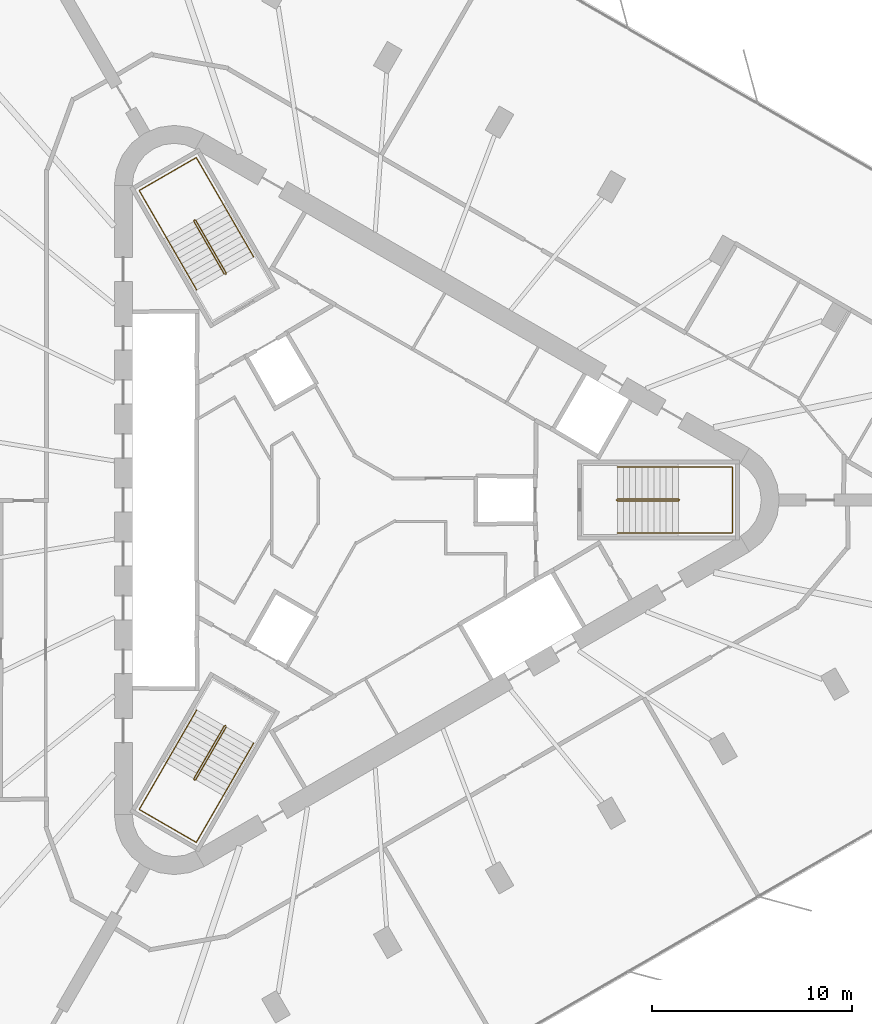
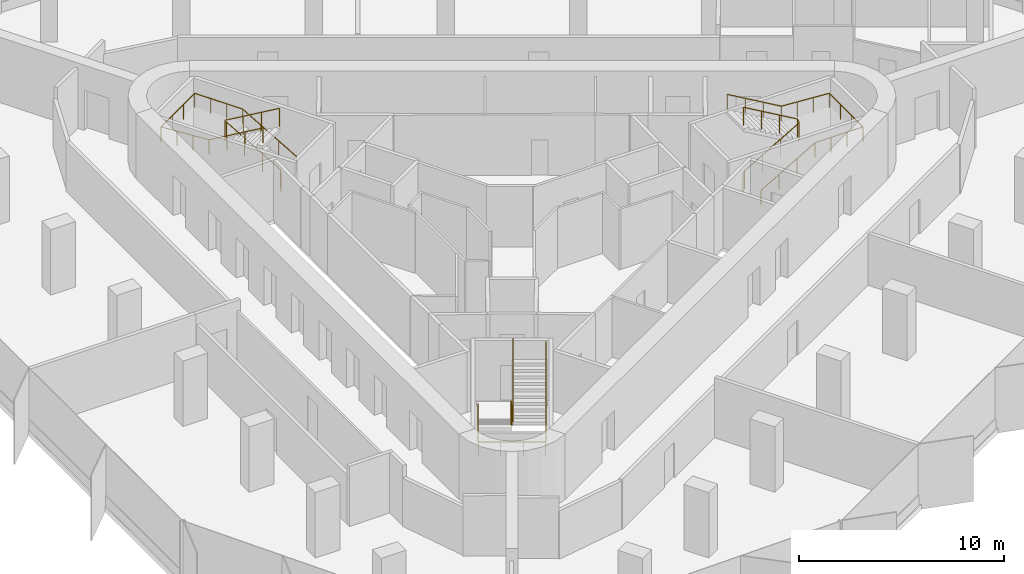
# One storey, part 12 of 12: 6 railings.
"""IFC4 building model written with IfcOpenShell, lengths in metres."""

from ifc_helpers import new_model, si_unit, direction, frame, origin, origin_2d, place, context, subcontext, project, spatial, circle, extrude, material, type_object, element, save


model = new_model("IFC4")

# Units and contexts
model_context = context("Model", 3, precision=1e-05, world=origin(), true_north=direction((0.0, 1.0)))
body_context = subcontext(model_context, "Body", "Model", "MODEL_VIEW")
ifc_project = project(units=[si_unit("LENGTHUNIT", "METRE"), si_unit("AREAUNIT", "SQUARE_METRE"), si_unit("VOLUMEUNIT", "CUBIC_METRE"), si_unit("PLANEANGLEUNIT", "RADIAN"), si_unit("MASSUNIT", "GRAM", prefix="KILO")], contexts=[model_context])

# Site, building, storey
site_placement = place(None, origin())
site = spatial("IfcSite", under=ifc_project, at=site_placement, CompositionType="ELEMENT")
building_placement = place(site_placement, origin())
building = spatial("IfcBuilding", under=site, at=building_placement, Name="Tanit Gate Tower", CompositionType="ELEMENT")
storey_placement = place(building_placement, frame((0.0, 0.0, 341.60009765625)))
storey = spatial("IfcBuildingStorey", under=building, at=storey_placement, Name="L77", CompositionType="ELEMENT", Elevation=341.60009765625)

# Railings
ifc_material_1 = material(Name="Stainless steel balustrade", Category="steel")
railing_type_1 = type_object("IfcRailingType", Name="INT-STAIR-GUARD", PredefinedType="GUARDRAIL", material=ifc_material_1)
railing_1_placement = place(storey_placement, frame((13.044921875, 0.0048828125, 0.0)))
element("IfcRailing", 1, at=railing_1_placement, inside=storey, type_object=railing_type_1, Name="L77 S1 stair guard 1", PredefinedType="GUARDRAIL", context=body_context, shape_type="SweptSolid", body=[
    extrude(circle(Radius=0.02392578125, at=origin_2d()), frame((0.0, 0.0, 1.076171875), z_axis=(0.0, -1.0, 0.0), x_axis=(1.0, 0.0, 0.0)), (0.0, 0.0, 1.0), 0.009765625),
    extrude(circle(Radius=0.02392578125, at=origin_2d()), frame((0.0, -0.009765625, 1.076171875), z_axis=(0.262233686654, -0.262233686654, 0.928691007369), x_axis=(0.707106781187, 0.707106781187, 0.0)), (0.0, 0.0, 1.0), 0.19091796875),
    extrude(circle(Radius=0.02392578125, at=origin_2d()), frame((0.050048828125, -0.059814453125, 1.25341796875), z_axis=(0.864648382064, 0.0, 0.502377522779), x_axis=(0.0, 1.0, 0.0)), (0.0, 0.0, 1.0), 3.528564453125),
    extrude(circle(Radius=0.02392578125, at=origin_2d()), frame((3.10107421875, -0.059814453125, 3.02587890625), z_axis=(0.707106781187, 0.707106781187, 0.0), x_axis=(-0.707106781187, 0.707106781187, 0.0)), (0.0, 0.0, 1.0), 0.07080078125),
    extrude(circle(Radius=0.02392578125, at=origin_2d()), frame((3.151123046875, -0.009765625, 3.02587890625), z_axis=(0.0, 1.0, 0.0), x_axis=(-1.0, 0.0, 0.0)), (0.0, 0.0, 1.0), 0.009765625),
    extrude(circle(Radius=0.02392578125, at=origin_2d()), frame((3.151123046875, 0.0, 3.02587890625), z_axis=(-0.262233686654, 0.262233686654, 0.928691007369), x_axis=(-0.707106781187, -0.707106781187, 0.0)), (0.0, 0.0, 1.0), 0.19091796875),
    extrude(circle(Radius=0.02392578125, at=origin_2d()), frame((3.10107421875, 0.050048828125, 3.203125), z_axis=(-0.864648382064, 0.0, 0.502377522779), x_axis=(0.0, -1.0, 0.0)), (0.0, 0.0, 1.0), 3.528564453125),
    extrude(circle(Radius=0.02099609375, at=origin_2d()), origin(), (0.0, 0.0, 1.0), 1.052001953125),
    extrude(circle(Radius=0.02099609375, at=origin_2d()), frame((0.0, -0.009765625, 0.0)), (0.0, 0.0, 1.0), 1.052001953125),
    extrude(circle(Radius=0.02099609375, at=origin_2d()), frame((0.050048828125, -0.059814453125, 0.17724609375)), (0.0, 0.0, 1.0), 1.052001953125),
    extrude(circle(Radius=0.02099609375, at=origin_2d()), frame((1.067138671875, -0.059814453125, 0.76806640625)), (0.0, 0.0, 1.0), 1.052001953125),
    extrude(circle(Radius=0.02099609375, at=origin_2d()), frame((2.083984375, -0.059814453125, 1.359130859375)), (0.0, 0.0, 1.0), 1.052001953125),
    extrude(circle(Radius=0.02099609375, at=origin_2d()), frame((3.10107421875, -0.059814453125, 1.949951171875)), (0.0, 0.0, 1.0), 1.052001953125),
    extrude(circle(Radius=0.02099609375, at=origin_2d()), frame((3.151123046875, -0.009765625, 1.949951171875)), (0.0, 0.0, 1.0), 1.052001953125),
    extrude(circle(Radius=0.02099609375, at=origin_2d()), frame((3.151123046875, 0.0, 1.949951171875)), (0.0, 0.0, 1.0), 1.052001953125),
    extrude(circle(Radius=0.02099609375, at=origin_2d()), frame((3.10107421875, 0.050048828125, 2.127197265625)), (0.0, 0.0, 1.0), 1.052001953125),
    extrude(circle(Radius=0.02099609375, at=origin_2d()), frame((2.083984375, 0.050048828125, 2.718017578125)), (0.0, 0.0, 1.0), 1.052001953125),
    extrude(circle(Radius=0.02099609375, at=origin_2d()), frame((1.067138671875, 0.050048828125, 3.30908203125)), (0.0, 0.0, 1.0), 1.052001953125),
    extrude(circle(Radius=0.02099609375, at=origin_2d()), frame((0.050048828125, 0.050048828125, 3.89990234375)), (0.0, 0.0, 1.0), 1.052001953125),
])
railing_2_placement = place(storey_placement, frame((-6.527099609375, 11.29345703125, 0.0)))
element("IfcRailing", 2, at=railing_2_placement, inside=storey, type_object=railing_type_1, Name="L77 S2 stair guard 1", PredefinedType="GUARDRAIL", context=body_context, shape_type="SweptSolid", body=[
    extrude(circle(Radius=0.02392578125, at=origin_2d()), frame((0.0, 0.0, 1.076171875), z_axis=(0.868243142124, 0.496138938357, 0.0), x_axis=(-0.496138938357, 0.868243142124, 0.0)), (0.0, 0.0, 1.0), 0.01171875),
    extrude(circle(Radius=0.02392578125, at=origin_2d()), frame((0.01025390625, 0.005859375, 1.076171875), z_axis=(0.095941116058, 0.358180166617, 0.928710003441), x_axis=(-0.965948051503, 0.258736085224, 0.0)), (0.0, 0.0, 1.0), 0.19091796875),
    extrude(circle(Radius=0.02392578125, at=origin_2d()), frame((0.028564453125, 0.07421875, 1.25341796875), z_axis=(-0.4322777601, 0.748681545756, 0.50260509465), x_axis=(-0.866012246495, -0.500022788402, 0.0)), (0.0, 0.0, 1.0), 3.527099609375),
    extrude(circle(Radius=0.02392578125, at=origin_2d()), frame((-1.49609375, 2.71484375, 3.02587890625), z_axis=(-0.965715946433, 0.259601060869, 0.0), x_axis=(-0.259601060869, -0.965715946433, 0.0)), (0.0, 0.0, 1.0), 0.070556640625),
    extrude(circle(Radius=0.02392578125, at=origin_2d()), frame((-1.564208984375, 2.733154296875, 3.02587890625), z_axis=(-0.873197702015, -0.487366159264, 0.0), x_axis=(0.487366159264, -0.873197702015, 0.0)), (0.0, 0.0, 1.0), 0.011962890625),
    extrude(circle(Radius=0.02392578125, at=origin_2d()), frame((-1.57470703125, 2.727294921875, 3.02587890625), z_axis=(-0.095941116058, -0.358180166617, 0.928710003441), x_axis=(0.965948051503, -0.258736085224, 0.0)), (0.0, 0.0, 1.0), 0.19091796875),
    extrude(circle(Radius=0.02392578125, at=origin_2d()), frame((-1.593017578125, 2.658935546875, 3.203125), z_axis=(0.4322777601, -0.748681545756, 0.50260509465), x_axis=(0.866012246495, 0.500022788402, 0.0)), (0.0, 0.0, 1.0), 3.527099609375),
    extrude(circle(Radius=0.02099609375, at=origin_2d()), origin(), (0.0, 0.0, 1.0), 1.052001953125),
    extrude(circle(Radius=0.02099609375, at=origin_2d()), frame((0.01025390625, 0.005859375, 0.0)), (0.0, 0.0, 1.0), 1.052001953125),
    extrude(circle(Radius=0.02099609375, at=origin_2d()), frame((0.028564453125, 0.07421875, 0.17724609375)), (0.0, 0.0, 1.0), 1.052001953125),
    extrude(circle(Radius=0.02099609375, at=origin_2d()), frame((-0.479736328125, 0.954345703125, 0.76806640625)), (0.0, 0.0, 1.0), 1.052001953125),
    extrude(circle(Radius=0.02099609375, at=origin_2d()), frame((-0.98779296875, 1.834716796875, 1.359130859375)), (0.0, 0.0, 1.0), 1.052001953125),
    extrude(circle(Radius=0.02099609375, at=origin_2d()), frame((-1.49609375, 2.71484375, 1.949951171875)), (0.0, 0.0, 1.0), 1.052001953125),
    extrude(circle(Radius=0.02099609375, at=origin_2d()), frame((-1.564208984375, 2.733154296875, 1.949951171875)), (0.0, 0.0, 1.0), 1.052001953125),
    extrude(circle(Radius=0.02099609375, at=origin_2d()), frame((-1.57470703125, 2.727294921875, 1.949951171875)), (0.0, 0.0, 1.0), 1.052001953125),
    extrude(circle(Radius=0.02099609375, at=origin_2d()), frame((-1.593017578125, 2.658935546875, 2.127197265625)), (0.0, 0.0, 1.0), 1.052001953125),
    extrude(circle(Radius=0.02099609375, at=origin_2d()), frame((-1.084716796875, 1.77880859375, 2.718017578125)), (0.0, 0.0, 1.0), 1.052001953125),
    extrude(circle(Radius=0.02099609375, at=origin_2d()), frame((-0.57666015625, 0.8984375, 3.30908203125)), (0.0, 0.0, 1.0), 1.052001953125),
    extrude(circle(Radius=0.02099609375, at=origin_2d()), frame((-0.068359375, 0.018310546875, 3.89990234375)), (0.0, 0.0, 1.0), 1.052001953125),
])
railing_3_placement = place(storey_placement, frame((-6.51806640625, -11.2998046875, 0.0)))
element("IfcRailing", 3, at=railing_3_placement, inside=storey, type_object=railing_type_1, Name="L77 S3 stair guard 1", PredefinedType="GUARDRAIL", context=body_context, shape_type="SweptSolid", body=[
    extrude(circle(Radius=0.02392578125, at=origin_2d()), frame((0.0, 0.0, 1.076171875), z_axis=(-0.874157276122, 0.485642931179, 0.0), x_axis=(-0.485642931179, -0.874157276122, 0.0)), (0.0, 0.0, 1.0), 0.010009765625),
    extrude(circle(Radius=0.02392578125, at=origin_2d()), frame((-0.0087890625, 0.0048828125, 1.076171875), z_axis=(-0.358223840744, -0.094673443625, 0.928823244215), x_axis=(0.255512919477, -0.966805641264, 0.0)), (0.0, 0.0, 1.0), 0.19091796875),
    extrude(circle(Radius=0.02392578125, at=origin_2d()), frame((-0.0771484375, -0.01318359375, 1.25341796875), z_axis=(-0.432289778901, -0.748827189027, 0.502377734411), x_axis=(0.866048339477, -0.499960272111, 0.0)), (0.0, 0.0, 1.0), 3.528564453125),
    extrude(circle(Radius=0.02392578125, at=origin_2d()), frame((-1.6025390625, -2.655517578125, 3.02587890625), z_axis=(0.258736085224, -0.965948051503, 0.0), x_axis=(0.965948051503, 0.258736085224, 0.0)), (0.0, 0.0, 1.0), 0.07080078125),
    extrude(circle(Radius=0.02392578125, at=origin_2d()), frame((-1.584228515625, -2.723876953125, 3.02587890625), z_axis=(0.868243142124, -0.496138938357, 0.0), x_axis=(0.496138938357, 0.868243142124, 0.0)), (0.0, 0.0, 1.0), 0.009765625),
    extrude(circle(Radius=0.02392578125, at=origin_2d()), frame((-1.57568359375, -2.728759765625, 3.02587890625), z_axis=(0.358180166617, 0.095941116058, 0.928710003441), x_axis=(-0.258736085224, 0.965948051503, 0.0)), (0.0, 0.0, 1.0), 0.19091796875),
    extrude(circle(Radius=0.02392578125, at=origin_2d()), frame((-1.50732421875, -2.71044921875, 3.203125), z_axis=(0.432368434633, 0.748774395838, 0.502388734816), x_axis=(-0.865993683553, 0.500054937028, 0.0)), (0.0, 0.0, 1.0), 3.528564453125),
    extrude(circle(Radius=0.02099609375, at=origin_2d()), origin(), (0.0, 0.0, 1.0), 1.052001953125),
    extrude(circle(Radius=0.02099609375, at=origin_2d()), frame((-0.0087890625, 0.0048828125, 0.0)), (0.0, 0.0, 1.0), 1.052001953125),
    extrude(circle(Radius=0.02099609375, at=origin_2d()), frame((-0.0771484375, -0.01318359375, 0.17724609375)), (0.0, 0.0, 1.0), 1.052001953125),
    extrude(circle(Radius=0.02099609375, at=origin_2d()), frame((-0.585693359375, -0.89404296875, 0.76806640625)), (0.0, 0.0, 1.0), 1.052001953125),
    extrude(circle(Radius=0.02099609375, at=origin_2d()), frame((-1.093994140625, -1.774658203125, 1.359130859375)), (0.0, 0.0, 1.0), 1.052001953125),
    extrude(circle(Radius=0.02099609375, at=origin_2d()), frame((-1.6025390625, -2.655517578125, 1.949951171875)), (0.0, 0.0, 1.0), 1.052001953125),
    extrude(circle(Radius=0.02099609375, at=origin_2d()), frame((-1.584228515625, -2.723876953125, 1.949951171875)), (0.0, 0.0, 1.0), 1.052001953125),
    extrude(circle(Radius=0.02099609375, at=origin_2d()), frame((-1.57568359375, -2.728759765625, 1.949951171875)), (0.0, 0.0, 1.0), 1.052001953125),
    extrude(circle(Radius=0.02099609375, at=origin_2d()), frame((-1.50732421875, -2.71044921875, 2.127197265625)), (0.0, 0.0, 1.0), 1.052001953125),
    extrude(circle(Radius=0.02099609375, at=origin_2d()), frame((-0.998779296875, -1.829833984375, 2.718017578125)), (0.0, 0.0, 1.0), 1.052001953125),
    extrude(circle(Radius=0.02099609375, at=origin_2d()), frame((-0.490234375, -0.948974609375, 3.30908203125)), (0.0, 0.0, 1.0), 1.052001953125),
    extrude(circle(Radius=0.02099609375, at=origin_2d()), frame((0.018310546875, -0.068359375, 3.89990234375)), (0.0, 0.0, 1.0), 1.052001953125),
])
ifc_material_2 = material(Name="Stainless steel handrail", Category="steel")
railing_type_2 = type_object("IfcRailingType", Name="INT-STAIR-HANDRAIL", PredefinedType="HANDRAIL", material=ifc_material_2)
railing_4_placement = place(storey_placement, frame((13.094970703125, -1.64990234375, 0.17724609375)))
element("IfcRailing", 4, at=railing_4_placement, inside=storey, type_object=railing_type_2, Name="L77 S1 stair handrail 1", PredefinedType="HANDRAIL", context=body_context, shape_type="SweptSolid", body=[
    extrude(circle(Radius=0.02392578125, at=origin_2d()), frame((0.0, 0.0, 0.8759765625), z_axis=(0.864648382064, 0.0, 0.502377522779), x_axis=(0.0, 1.0, 0.0)), (0.0, 0.0, 1.0), 3.528564453125),
    extrude(circle(Radius=0.02392578125, at=origin_2d()), frame((3.051025390625, 0.0, 2.6484375), z_axis=(1.0, 0.0, 0.0), x_axis=(0.0, 1.0, 0.0)), (0.0, 0.0, 1.0), 2.7041015625),
    extrude(circle(Radius=0.02392578125, at=origin_2d()), frame((5.755126953125, 0.0, 2.6484375), z_axis=(0.0, 1.0, 0.0), x_axis=(-1.0, 0.0, 0.0)), (0.0, 0.0, 1.0), 3.2998046875),
    extrude(circle(Radius=0.02392578125, at=origin_2d()), frame((5.755126953125, 3.2998046875, 2.6484375), z_axis=(-0.997858684482, 0.0, 0.065406771843), x_axis=(0.0, -1.0, 0.0)), (0.0, 0.0, 1.0), 2.7099609375),
    extrude(circle(Radius=0.02392578125, at=origin_2d()), frame((3.051025390625, 3.2998046875, 2.82568359375), z_axis=(-0.864648382064, 0.0, 0.502377522779), x_axis=(0.0, -1.0, 0.0)), (0.0, 0.0, 1.0), 3.528564453125),
    extrude(circle(Radius=0.02099609375, at=origin_2d()), origin(), (0.0, 0.0, 1.0), 0.851806640625),
    extrude(circle(Radius=0.02099609375, at=origin_2d()), frame((1.01708984375, 0.0, 0.5908203125)), (0.0, 0.0, 1.0), 0.851806640625),
    extrude(circle(Radius=0.02099609375, at=origin_2d()), frame((2.033935546875, 0.0, 1.181884765625)), (0.0, 0.0, 1.0), 0.851806640625),
    extrude(circle(Radius=0.02099609375, at=origin_2d()), frame((3.051025390625, 0.0, 1.772705078125)), (0.0, 0.0, 1.0), 0.851806640625),
    extrude(circle(Radius=0.02099609375, at=origin_2d()), frame((3.952392578125, 0.0, 1.772705078125)), (0.0, 0.0, 1.0), 0.851806640625),
    extrude(circle(Radius=0.02099609375, at=origin_2d()), frame((4.853759765625, 0.0, 1.772705078125)), (0.0, 0.0, 1.0), 0.851806640625),
    extrude(circle(Radius=0.02099609375, at=origin_2d()), frame((5.755126953125, 0.0, 1.772705078125)), (0.0, 0.0, 1.0), 0.851806640625),
    extrude(circle(Radius=0.02099609375, at=origin_2d()), frame((5.755126953125, 1.099853515625, 1.772705078125)), (0.0, 0.0, 1.0), 0.851806640625),
    extrude(circle(Radius=0.02099609375, at=origin_2d()), frame((5.755126953125, 2.199951171875, 1.772705078125)), (0.0, 0.0, 1.0), 0.851806640625),
    extrude(circle(Radius=0.02099609375, at=origin_2d()), frame((5.755126953125, 3.2998046875, 1.772705078125)), (0.0, 0.0, 1.0), 0.851806640625),
    extrude(circle(Radius=0.02099609375, at=origin_2d()), frame((4.853759765625, 3.2998046875, 1.831787109375)), (0.0, 0.0, 1.0), 0.851806640625),
    extrude(circle(Radius=0.02099609375, at=origin_2d()), frame((3.952392578125, 3.2998046875, 1.890869140625)), (0.0, 0.0, 1.0), 0.851806640625),
    extrude(circle(Radius=0.02099609375, at=origin_2d()), frame((3.051025390625, 3.2998046875, 1.949951171875)), (0.0, 0.0, 1.0), 0.851806640625),
    extrude(circle(Radius=0.02099609375, at=origin_2d()), frame((2.033935546875, 3.2998046875, 2.540771484375)), (0.0, 0.0, 1.0), 0.851806640625),
    extrude(circle(Radius=0.02099609375, at=origin_2d()), frame((1.01708984375, 3.2998046875, 3.1318359375)), (0.0, 0.0, 1.0), 0.851806640625),
    extrude(circle(Radius=0.02099609375, at=origin_2d()), frame((0.0, 3.2998046875, 3.72265625)), (0.0, 0.0, 1.0), 0.851806640625),
])
railing_5_placement = place(storey_placement, frame((-5.1181640625, 12.164794921875, 0.17724609375)))
element("IfcRailing", 5, at=railing_5_placement, inside=storey, type_object=railing_type_2, Name="L77 S2 stair handrail 1", PredefinedType="HANDRAIL", context=body_context, shape_type="SweptSolid", body=[
    extrude(circle(Radius=0.02392578125, at=origin_2d()), frame((0.0, 0.0, 0.8759765625), z_axis=(-0.432221472453, 0.748703947157, 0.502620133164), x_axis=(-0.866046917185, -0.499962735845, 0.0)), (0.0, 0.0, 1.0), 3.52685546875),
    extrude(circle(Radius=0.02392578125, at=origin_2d()), frame((-1.5244140625, 2.640625, 2.6484375), z_axis=(-0.500019123664, 0.86601436245, 0.0), x_axis=(-0.86601436245, -0.500019123664, 0.0)), (0.0, 0.0, 1.0), 2.70703125),
    extrude(circle(Radius=0.02392578125, at=origin_2d()), frame((-2.8779296875, 4.98486328125, 2.6484375), z_axis=(-0.866008176907, -0.50002983664, 0.0), x_axis=(0.50002983664, -0.866008176907, 0.0)), (0.0, 0.0, 1.0), 3.300048828125),
    extrude(circle(Radius=0.02392578125, at=origin_2d()), frame((-5.73583984375, 3.334716796875, 2.6484375), z_axis=(0.498989459885, -0.864141018102, 0.065343857842), x_axis=(0.865991810323, 0.500058181068, 0.0)), (0.0, 0.0, 1.0), 2.71240234375),
    extrude(circle(Radius=0.02392578125, at=origin_2d()), frame((-4.38232421875, 0.99072265625, 2.82568359375), z_axis=(0.432255358616, -0.748711963836, 0.502579048665), x_axis=(0.866032263162, 0.499988119021, 0.0)), (0.0, 0.0, 1.0), 3.527099609375),
    extrude(circle(Radius=0.02099609375, at=origin_2d()), origin(), (0.0, 0.0, 1.0), 0.851806640625),
    extrude(circle(Radius=0.02099609375, at=origin_2d()), frame((-0.508056640625, 0.880126953125, 0.5908203125)), (0.0, 0.0, 1.0), 0.851806640625),
    extrude(circle(Radius=0.02099609375, at=origin_2d()), frame((-1.016357421875, 1.760498046875, 1.181884765625)), (0.0, 0.0, 1.0), 0.851806640625),
    extrude(circle(Radius=0.02099609375, at=origin_2d()), frame((-1.5244140625, 2.640625, 1.772705078125)), (0.0, 0.0, 1.0), 0.851806640625),
    extrude(circle(Radius=0.02099609375, at=origin_2d()), frame((-1.9755859375, 3.422119140625, 1.772705078125)), (0.0, 0.0, 1.0), 0.851806640625),
    extrude(circle(Radius=0.02099609375, at=origin_2d()), frame((-2.4267578125, 4.203369140625, 1.772705078125)), (0.0, 0.0, 1.0), 0.851806640625),
    extrude(circle(Radius=0.02099609375, at=origin_2d()), frame((-2.8779296875, 4.98486328125, 1.772705078125)), (0.0, 0.0, 1.0), 0.851806640625),
    extrude(circle(Radius=0.02099609375, at=origin_2d()), frame((-3.83056640625, 4.434814453125, 1.772705078125)), (0.0, 0.0, 1.0), 0.851806640625),
    extrude(circle(Radius=0.02099609375, at=origin_2d()), frame((-4.783203125, 3.884765625, 1.772705078125)), (0.0, 0.0, 1.0), 0.851806640625),
    extrude(circle(Radius=0.02099609375, at=origin_2d()), frame((-5.73583984375, 3.334716796875, 1.772705078125)), (0.0, 0.0, 1.0), 0.851806640625),
    extrude(circle(Radius=0.02099609375, at=origin_2d()), frame((-5.28466796875, 2.553466796875, 1.831787109375)), (0.0, 0.0, 1.0), 0.851806640625),
    extrude(circle(Radius=0.02099609375, at=origin_2d()), frame((-4.83349609375, 1.77197265625, 1.890869140625)), (0.0, 0.0, 1.0), 0.851806640625),
    extrude(circle(Radius=0.02099609375, at=origin_2d()), frame((-4.38232421875, 0.99072265625, 1.949951171875)), (0.0, 0.0, 1.0), 0.851806640625),
    extrude(circle(Radius=0.02099609375, at=origin_2d()), frame((-3.8740234375, 0.1103515625, 2.540771484375)), (0.0, 0.0, 1.0), 0.851806640625),
    extrude(circle(Radius=0.02099609375, at=origin_2d()), frame((-3.365966796875, -0.769775390625, 3.1318359375)), (0.0, 0.0, 1.0), 0.851806640625),
    extrude(circle(Radius=0.02099609375, at=origin_2d()), frame((-2.857666015625, -1.650146484375, 3.72265625)), (0.0, 0.0, 1.0), 0.851806640625),
])
railing_6_placement = place(storey_placement, frame((-7.9765625, -10.515625, 0.17724609375)))
element("IfcRailing", 6, at=railing_6_placement, inside=storey, type_object=railing_type_2, Name="L77 S3 stair handrail 1", PredefinedType="HANDRAIL", context=body_context, shape_type="SweptSolid", body=[
    extrude(circle(Radius=0.02392578125, at=origin_2d()), frame((0.0, 0.0, 0.8759765625), z_axis=(-0.432289778901, -0.748827189027, 0.502377734411), x_axis=(0.866048339477, -0.499960272111, 0.0)), (0.0, 0.0, 1.0), 3.528564453125),
    extrude(circle(Radius=0.02392578125, at=origin_2d()), frame((-1.525390625, -2.642333984375, 2.6484375), z_axis=(-0.50004290449, -0.866000631449, 0.0), x_axis=(0.866000631449, -0.50004290449, 0.0)), (0.0, 0.0, 1.0), 2.703857421875),
    extrude(circle(Radius=0.02392578125, at=origin_2d()), frame((-2.87744140625, -4.98388671875, 2.6484375), z_axis=(0.866008176907, -0.50002983664, 0.0), x_axis=(0.50002983664, 0.866008176907, 0.0)), (0.0, 0.0, 1.0), 3.300048828125),
    extrude(circle(Radius=0.02392578125, at=origin_2d()), frame((-0.01953125, -6.634033203125, 2.6484375), z_axis=(0.498933124603, 0.864168748861, 0.065407267689), x_axis=(-0.866023205937, 0.500003806764, 0.0)), (0.0, 0.0, 1.0), 2.7099609375),
    extrude(circle(Radius=0.02392578125, at=origin_2d()), frame((1.33251953125, -4.292236328125, 2.82568359375), z_axis=(0.432289778901, 0.748827189027, 0.502377734411), x_axis=(-0.866048339477, 0.499960272111, 0.0)), (0.0, 0.0, 1.0), 3.528564453125),
    extrude(circle(Radius=0.02099609375, at=origin_2d()), origin(), (0.0, 0.0, 1.0), 0.851806640625),
    extrude(circle(Radius=0.02099609375, at=origin_2d()), frame((-0.508544921875, -0.880859375, 0.5908203125)), (0.0, 0.0, 1.0), 0.851806640625),
    extrude(circle(Radius=0.02099609375, at=origin_2d()), frame((-1.016845703125, -1.761474609375, 1.181884765625)), (0.0, 0.0, 1.0), 0.851806640625),
    extrude(circle(Radius=0.02099609375, at=origin_2d()), frame((-1.525390625, -2.642333984375, 1.772705078125)), (0.0, 0.0, 1.0), 0.851806640625),
    extrude(circle(Radius=0.02099609375, at=origin_2d()), frame((-1.97607421875, -3.4228515625, 1.772705078125)), (0.0, 0.0, 1.0), 0.851806640625),
    extrude(circle(Radius=0.02099609375, at=origin_2d()), frame((-2.4267578125, -4.203369140625, 1.772705078125)), (0.0, 0.0, 1.0), 0.851806640625),
    extrude(circle(Radius=0.02099609375, at=origin_2d()), frame((-2.87744140625, -4.98388671875, 1.772705078125)), (0.0, 0.0, 1.0), 0.851806640625),
    extrude(circle(Radius=0.02099609375, at=origin_2d()), frame((-1.9248046875, -5.533935546875, 1.772705078125)), (0.0, 0.0, 1.0), 0.851806640625),
    extrude(circle(Radius=0.02099609375, at=origin_2d()), frame((-0.97216796875, -6.083984375, 1.772705078125)), (0.0, 0.0, 1.0), 0.851806640625),
    extrude(circle(Radius=0.02099609375, at=origin_2d()), frame((-0.01953125, -6.634033203125, 1.772705078125)), (0.0, 0.0, 1.0), 0.851806640625),
    extrude(circle(Radius=0.02099609375, at=origin_2d()), frame((0.43115234375, -5.853515625, 1.831787109375)), (0.0, 0.0, 1.0), 0.851806640625),
    extrude(circle(Radius=0.02099609375, at=origin_2d()), frame((0.8818359375, -5.07275390625, 1.890869140625)), (0.0, 0.0, 1.0), 0.851806640625),
    extrude(circle(Radius=0.02099609375, at=origin_2d()), frame((1.33251953125, -4.292236328125, 1.949951171875)), (0.0, 0.0, 1.0), 0.851806640625),
    extrude(circle(Radius=0.02099609375, at=origin_2d()), frame((1.841064453125, -3.411376953125, 2.540771484375)), (0.0, 0.0, 1.0), 0.851806640625),
    extrude(circle(Radius=0.02099609375, at=origin_2d()), frame((2.349365234375, -2.53076171875, 3.1318359375)), (0.0, 0.0, 1.0), 0.851806640625),
    extrude(circle(Radius=0.02099609375, at=origin_2d()), frame((2.85791015625, -1.64990234375, 3.72265625)), (0.0, 0.0, 1.0), 0.851806640625),
])

save(model, "model.ifc")
